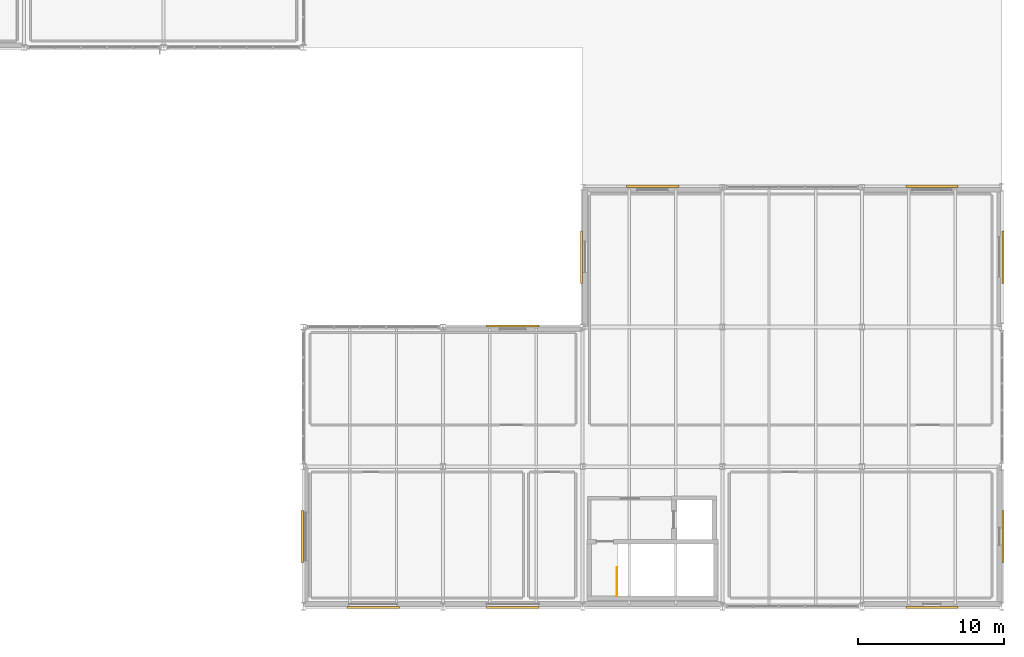
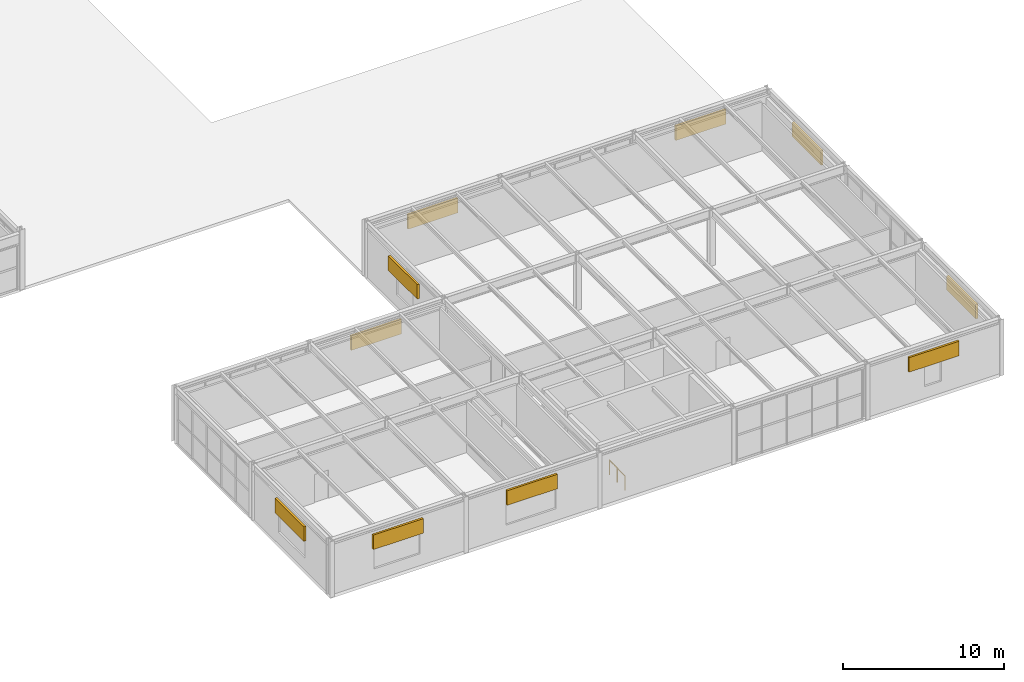
# One storey, part 169 of 170: 10 shading devices, 1 railing.
"""IFC4 building model written with IfcOpenShell, lengths in metres."""

from ifc_helpers import new_model, si_unit, direction, frame, origin, origin_2d, place, context, subcontext, project, spatial, rectangle, circle, extrude, material, type_object, element, save


model = new_model("IFC4")

# Units and contexts
model_context = context("Model", 3, precision=1e-05, world=origin(), true_north=direction((0.0, 1.0)))
body_context = subcontext(model_context, "Body", "Model", "MODEL_VIEW")
ifc_project = project(units=[si_unit("LENGTHUNIT", "METRE"), si_unit("AREAUNIT", "SQUARE_METRE"), si_unit("VOLUMEUNIT", "CUBIC_METRE"), si_unit("PLANEANGLEUNIT", "RADIAN"), si_unit("MASSUNIT", "GRAM", prefix="KILO")], contexts=[model_context])

# Site, building, storey
site_placement = place(None, origin())
site = spatial("IfcSite", under=ifc_project, at=site_placement, CompositionType="ELEMENT")
building_placement = place(site_placement, origin())
building = spatial("IfcBuilding", under=site, at=building_placement, Name="Coralgate Yard Interchange", CompositionType="ELEMENT")
storey_placement = place(building_placement, frame((0.0, 0.0, 6.0)))
storey = spatial("IfcBuildingStorey", under=building, at=storey_placement, Name="L01", CompositionType="ELEMENT", Elevation=6.0)

# Railing
ifc_material_1 = material(Name="Grade 316 marine stainless steel and toughened glass balustrade", Category="steel")
railing_type = type_object("IfcRailingType", Name="RLG-GD1100", PredefinedType="BALUSTRADE", material=ifc_material_1)
railing_placement = place(storey_placement, frame((155.949951171875, 0.719970703125, 0.0)))
element("IfcRailing", 1, at=railing_placement, inside=storey, type_object=railing_type, Name="L01 ST-08 top well guard 1", PredefinedType="BALUSTRADE", context=body_context, shape_type="SweptSolid", body=[
    extrude(circle(Radius=0.02392578125, at=origin_2d()), frame((0.0, 0.0, 1.076171875), z_axis=(0.0, 1.0, 0.0), x_axis=(-1.0, 0.0, 0.0)), (0.0, 0.0, 1.0), 1.93994140625),
    extrude(circle(Radius=0.02099609375, at=origin_2d()), origin(), (0.0, 0.0, 1.0), 1.051513671875),
    extrude(circle(Radius=0.02099609375, at=origin_2d()), frame((0.0, 0.969970703125, 0.0)), (0.0, 0.0, 1.0), 1.051513671875),
    extrude(circle(Radius=0.02099609375, at=origin_2d()), frame((0.0, 1.93994140625, 0.0)), (0.0, 0.0, 1.0), 1.051513671875),
])

# Shading devices
ifc_material_2 = material(Name="Marine anodised extruded aluminium stormproof louvre bank", Category="aluminium")
shading_device_type = type_object("IfcShadingDeviceType", Name="SHD-LV1", PredefinedType="JALOUSIE", material=ifc_material_2)
for number, where, z_axis, x_axis, name in (
    (2, (139.199951171875, -0.074951171875, 2.5), (0.0, 0.0, 1.0), (-1.0, 0.0, 0.0), "L01 stormproof aluminium ventilation louvre S-14-0"),
    (3, (134.324951171875, 4.800048828125, 2.31689453125), (0.0, 0.0, 1.0), (0.0, 1.0, 0.0), "L01 stormproof aluminium ventilation louvre W-14-0"),
    (4, (148.800048828125, -0.074951171875, 2.5), (0.0, 0.0, 1.0), (-1.0, 0.0, 0.0), "L01 stormproof aluminium ventilation louvre S-15-0"),
    (5, (148.800048828125, 19.27490234375, 2.5), (0.0, 0.0, 1.0), (1.0, 0.0, 0.0), "L01 stormproof aluminium ventilation louvre N-15-1"),
    (6, (153.52490234375, 24.0, 2.31689453125), (0.0, 0.0, 1.0), (0.0, 1.0, 0.0), "L01 stormproof aluminium ventilation louvre W-16-2"),
    (7, (158.39990234375, 28.875, 2.5), (0.0, 0.0, 1.0), (1.0, 0.0, 0.0), "L01 stormproof aluminium ventilation louvre N-16-2"),
    (8, (177.60009765625, -0.074951171875, 2.5), (0.0, 0.0, 1.0), (-1.0, 0.0, 0.0), "L01 stormproof aluminium ventilation louvre S-18-0"),
    (9, (182.47509765625, 4.800048828125, 2.31689453125), (0.0, 0.0, 1.0), (0.0, -1.0, 0.0), "L01 stormproof aluminium ventilation louvre E-18-0"),
    (10, (177.60009765625, 28.875, 2.5), (0.0, 0.0, 1.0), (1.0, 0.0, 0.0), "L01 stormproof aluminium ventilation louvre N-18-2"),
    (11, (182.47509765625, 24.0, 2.31689453125), (0.0, 0.0, 1.0), (0.0, -1.0, 0.0), "L01 stormproof aluminium ventilation louvre E-18-2"),
):
    element("IfcShadingDevice", number, at=place(storey_placement, frame(where, z_axis=z_axis, x_axis=x_axis)), inside=storey, type_object=shading_device_type, Name=name, PredefinedType="JALOUSIE", context=body_context, shape_type="SweptSolid", body=[
        extrude(rectangle(XDim=3.60009765625, YDim=0.14990234375, at=origin_2d()), origin(), (0.0, 0.0, 1.0), 1.10009765625),
    ])

save(model, "model.ifc")
